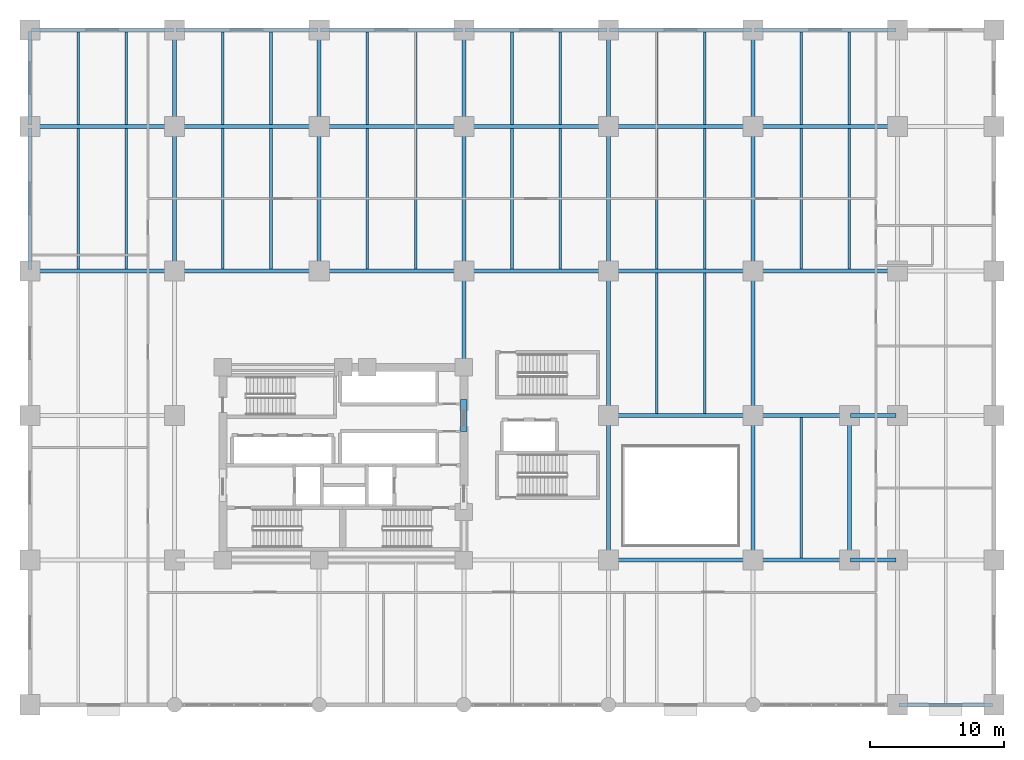
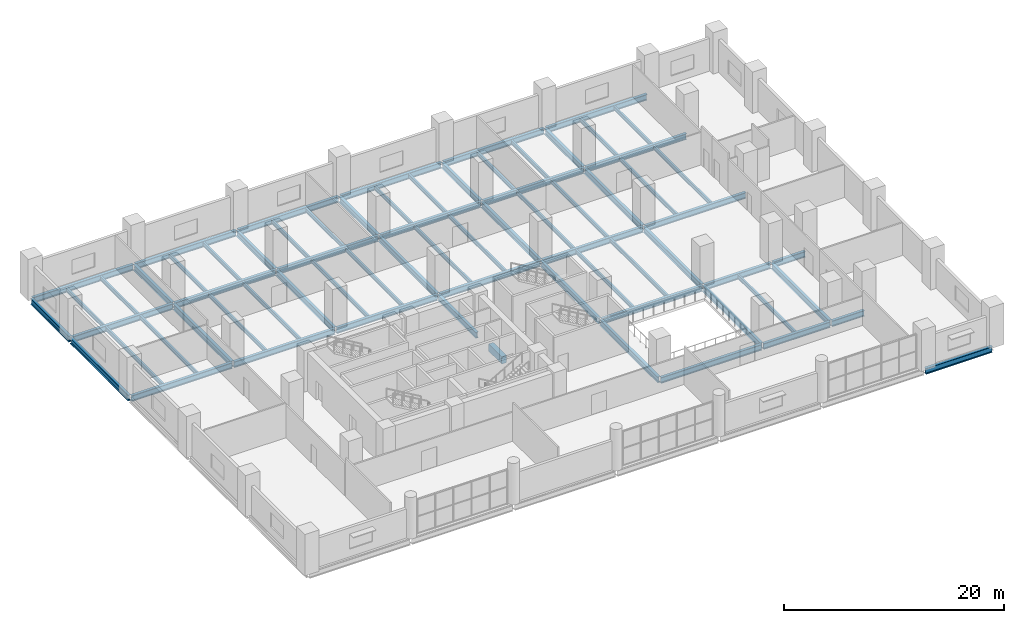
# One storey, part 8 of 16: 71 beams.
"""IFC4 building model written with IfcOpenShell, lengths in metres."""

from ifc_helpers import new_model, si_unit, direction, frame, origin, origin_2d, place, context, subcontext, project, spatial, rectangle, i_section, extrude, material, material_profile, profile_set, type_object, element, save


model = new_model("IFC4")

# Units and contexts
model_context = context("Model", 3, precision=1e-05, world=origin(), true_north=direction((0.0, 1.0)))
body_context = subcontext(model_context, "Body", "Model", "MODEL_VIEW")
ifc_project = project(units=[si_unit("LENGTHUNIT", "METRE"), si_unit("AREAUNIT", "SQUARE_METRE"), si_unit("VOLUMEUNIT", "CUBIC_METRE"), si_unit("PLANEANGLEUNIT", "RADIAN"), si_unit("MASSUNIT", "GRAM", prefix="KILO")], contexts=[model_context])

# Site, building, storey
site_placement = place(None, origin())
site = spatial("IfcSite", under=ifc_project, at=site_placement, CompositionType="ELEMENT")
building_placement = place(site_placement, origin())
building = spatial("IfcBuilding", under=site, at=building_placement, Name="Solnavia Interchange Tower", CompositionType="ELEMENT")
storey_placement = place(building_placement, frame((0.0, 0.0, 10.199951171875)))
storey = spatial("IfcBuildingStorey", under=building, at=storey_placement, Name="L02", CompositionType="ELEMENT", Elevation=10.199951171875)

# Beams
ifc_material_1 = material(Name="Concrete C50/60", Category="concrete")
ifc_material_profile_1 = material_profile(ifc_material_1, rectangle(XDim=0.5, YDim=0.800048828125, at=origin_2d()), Name="RC 500x800")
ifc_profile_set_1 = profile_set([ifc_material_profile_1], Name="Concrete C50/60")
beam_type_1 = type_object("IfcBeamType", Name="Beam-Coupling-RC500x800", PredefinedType="LINTEL", material=ifc_profile_set_1)
beam_1_placement = place(storey_placement, frame((32.39990234375, 20.39990234375, -0.39990234375), z_axis=(0.0, 1.0, 0.0), x_axis=(-1.0, 0.0, 0.0)))
element("IfcBeam", 1, at=beam_1_placement, inside=storey, type_object=beam_type_1, Name="CPB-L02-E2 Core coupling lintel beam", PredefinedType="LINTEL", context=body_context, shape_type="SweptSolid", body=[
    extrude(rectangle(XDim=0.5, YDim=0.800048828125, at=origin_2d()), origin(), (0.0, 0.0, 1.0), 2.400146484375),
])
ifc_material_2 = material(Name="Steel S460", Category="steel")
ifc_material_profile_2 = material_profile(ifc_material_2, i_section(OverallWidth=0.300048828125, OverallDepth=0.64990234375, WebThickness=0.01611328125, FlangeThickness=0.031005859375, FilletRadius=0.027099609375, at=origin_2d()), Name="HEB 650")
ifc_profile_set_2 = profile_set([ifc_material_profile_2], Name="Steel S460")
beam_type_2 = type_object("IfcBeamType", Name="Beam-Girder-HEB650", PredefinedType="BEAM", material=ifc_profile_set_2)
beam_2_placement = place(storey_placement, frame((64.89990234375, 0.0, -0.625), z_axis=(1.0, 0.0, 0.0), x_axis=(0.0, 1.0, 0.0)))
element("IfcBeam", 2, at=beam_2_placement, inside=storey, type_object=beam_type_2, Name="GRD-L02-07 Podium primary girder", PredefinedType="BEAM", context=body_context, shape_type="SweptSolid", body=[
    extrude(i_section(OverallWidth=0.300048828125, OverallDepth=0.64990234375, WebThickness=0.01611328125, FlangeThickness=0.031005859375, FilletRadius=0.027099609375, at=origin_2d()), origin(), (0.0, 0.0, 1.0), 7.0),
])
beam_3_placement = place(storey_placement, frame((43.300048828125, 10.800048828125, -0.625), z_axis=(1.0, 0.0, 0.0), x_axis=(0.0, 1.0, 0.0)))
element("IfcBeam", 3, at=beam_3_placement, inside=storey, type_object=beam_type_2, Name="GRD-L02-13 Podium primary girder", PredefinedType="BEAM", context=body_context, shape_type="SweptSolid", body=[
    extrude(i_section(OverallWidth=0.300048828125, OverallDepth=0.64990234375, WebThickness=0.01611328125, FlangeThickness=0.031005859375, FilletRadius=0.027099609375, at=origin_2d()), origin(), (0.0, 0.0, 1.0), 10.599853515625),
])
beam_4_placement = place(storey_placement, frame((54.10009765625, 10.800048828125, -0.625), z_axis=(1.0, 0.0, 0.0), x_axis=(0.0, 1.0, 0.0)))
element("IfcBeam", 4, at=beam_4_placement, inside=storey, type_object=beam_type_2, Name="GRD-L02-14 Podium primary girder", PredefinedType="BEAM", context=body_context, shape_type="SweptSolid", body=[
    extrude(i_section(OverallWidth=0.300048828125, OverallDepth=0.64990234375, WebThickness=0.01611328125, FlangeThickness=0.031005859375, FilletRadius=0.027099609375, at=origin_2d()), origin(), (0.0, 0.0, 1.0), 7.0),
])
beam_5_placement = place(storey_placement, frame((61.300048828125, 10.800048828125, -0.625), z_axis=(1.0, 0.0, 0.0), x_axis=(0.0, 1.0, 0.0)))
element("IfcBeam", 5, at=beam_5_placement, inside=storey, type_object=beam_type_2, Name="GRD-L02-15 Podium primary girder", PredefinedType="BEAM", context=body_context, shape_type="SweptSolid", body=[
    extrude(i_section(OverallWidth=0.300048828125, OverallDepth=0.64990234375, WebThickness=0.01611328125, FlangeThickness=0.031005859375, FilletRadius=0.027099609375, at=origin_2d()), origin(), (0.0, 0.0, 1.0), 3.39990234375),
])
beam_6_placement = place(storey_placement, frame((43.300048828125, 21.60009765625, -0.625), z_axis=(1.0, 0.0, 0.0), x_axis=(0.0, 1.0, 0.0)))
element("IfcBeam", 6, at=beam_6_placement, inside=storey, type_object=beam_type_2, Name="GRD-L02-18 Podium primary girder", PredefinedType="BEAM", context=body_context, shape_type="SweptSolid", body=[
    extrude(i_section(OverallWidth=0.300048828125, OverallDepth=0.64990234375, WebThickness=0.01611328125, FlangeThickness=0.031005859375, FilletRadius=0.027099609375, at=origin_2d()), origin(), (0.0, 0.0, 1.0), 10.599853515625),
])
beam_7_placement = place(storey_placement, frame((54.10009765625, 21.60009765625, -0.625), z_axis=(1.0, 0.0, 0.0), x_axis=(0.0, 1.0, 0.0)))
element("IfcBeam", 7, at=beam_7_placement, inside=storey, type_object=beam_type_2, Name="GRD-L02-19 Podium primary girder", PredefinedType="BEAM", context=body_context, shape_type="SweptSolid", body=[
    extrude(i_section(OverallWidth=0.300048828125, OverallDepth=0.64990234375, WebThickness=0.01611328125, FlangeThickness=0.031005859375, FilletRadius=0.027099609375, at=origin_2d()), origin(), (0.0, 0.0, 1.0), 7.0),
])
beam_8_placement = place(storey_placement, frame((61.300048828125, 21.60009765625, -0.625), z_axis=(1.0, 0.0, 0.0), x_axis=(0.0, 1.0, 0.0)))
element("IfcBeam", 8, at=beam_8_placement, inside=storey, type_object=beam_type_2, Name="GRD-L02-20 Podium primary girder", PredefinedType="BEAM", context=body_context, shape_type="SweptSolid", body=[
    extrude(i_section(OverallWidth=0.300048828125, OverallDepth=0.64990234375, WebThickness=0.01611328125, FlangeThickness=0.031005859375, FilletRadius=0.027099609375, at=origin_2d()), origin(), (0.0, 0.0, 1.0), 3.39990234375),
])
beam_9_placement = place(storey_placement, frame((0.10009765625, 32.39990234375, -0.625), z_axis=(1.0, 0.0, 0.0), x_axis=(0.0, 1.0, 0.0)))
element("IfcBeam", 9, at=beam_9_placement, inside=storey, type_object=beam_type_2, Name="GRD-L02-23 Podium primary girder", PredefinedType="BEAM", context=body_context, shape_type="SweptSolid", body=[
    extrude(i_section(OverallWidth=0.300048828125, OverallDepth=0.64990234375, WebThickness=0.01611328125, FlangeThickness=0.031005859375, FilletRadius=0.027099609375, at=origin_2d()), origin(), (0.0, 0.0, 1.0), 10.599853515625),
])
for number, where, z_axis, x_axis, name in (
    (10, (10.89990234375, 32.39990234375, -0.625), (1.0, 0.0, 0.0), (0.0, 1.0, 0.0), "GRD-L02-24 Podium primary girder"),
    (11, (21.699951171875, 32.39990234375, -0.625), (1.0, 0.0, 0.0), (0.0, 1.0, 0.0), "GRD-L02-25 Podium primary girder"),
    (12, (32.5, 32.39990234375, -0.625), (1.0, 0.0, 0.0), (0.0, 1.0, 0.0), "GRD-L02-26 Podium primary girder"),
):
    element("IfcBeam", number, at=place(storey_placement, frame(where, z_axis=z_axis, x_axis=x_axis)), inside=storey, type_object=beam_type_2, Name=name, PredefinedType="BEAM", context=body_context, shape_type="SweptSolid", body=[
        extrude(i_section(OverallWidth=0.300048828125, OverallDepth=0.64990234375, WebThickness=0.01611328125, FlangeThickness=0.031005859375, FilletRadius=0.027099609375, at=origin_2d()), origin(), (0.0, 0.0, 1.0), 10.60009765625),
    ])
for number, where, z_axis, x_axis, name in (
    (13, (43.300048828125, 32.39990234375, -0.625), (1.0, 0.0, 0.0), (0.0, 1.0, 0.0), "GRD-L02-27 Podium primary girder"),
    (14, (54.10009765625, 32.39990234375, -0.625), (1.0, 0.0, 0.0), (0.0, 1.0, 0.0), "GRD-L02-28 Podium primary girder"),
    (15, (0.10009765625, 43.199951171875, -0.625), (1.0, 0.0, 0.0), (0.0, 1.0, 0.0), "GRD-L02-30 Podium primary girder"),
):
    element("IfcBeam", number, at=place(storey_placement, frame(where, z_axis=z_axis, x_axis=x_axis)), inside=storey, type_object=beam_type_2, Name=name, PredefinedType="BEAM", context=body_context, shape_type="SweptSolid", body=[
        extrude(i_section(OverallWidth=0.300048828125, OverallDepth=0.64990234375, WebThickness=0.01611328125, FlangeThickness=0.031005859375, FilletRadius=0.027099609375, at=origin_2d()), origin(), (0.0, 0.0, 1.0), 10.599853515625),
    ])
for number, where, z_axis, x_axis, name in (
    (16, (10.89990234375, 43.199951171875, -0.625), (1.0, 0.0, 0.0), (0.0, 1.0, 0.0), "GRD-L02-31 Podium primary girder"),
    (17, (21.699951171875, 43.199951171875, -0.625), (1.0, 0.0, 0.0), (0.0, 1.0, 0.0), "GRD-L02-32 Podium primary girder"),
    (18, (32.5, 43.199951171875, -0.625), (1.0, 0.0, 0.0), (0.0, 1.0, 0.0), "GRD-L02-33 Podium primary girder"),
):
    element("IfcBeam", number, at=place(storey_placement, frame(where, z_axis=z_axis, x_axis=x_axis)), inside=storey, type_object=beam_type_2, Name=name, PredefinedType="BEAM", context=body_context, shape_type="SweptSolid", body=[
        extrude(i_section(OverallWidth=0.300048828125, OverallDepth=0.64990234375, WebThickness=0.01611328125, FlangeThickness=0.031005859375, FilletRadius=0.027099609375, at=origin_2d()), origin(), (0.0, 0.0, 1.0), 10.60009765625),
    ])
for number, where, z_axis, x_axis, name in (
    (19, (43.300048828125, 43.199951171875, -0.625), (1.0, 0.0, 0.0), (0.0, 1.0, 0.0), "GRD-L02-34 Podium primary girder"),
    (20, (54.10009765625, 43.199951171875, -0.625), (1.0, 0.0, 0.0), (0.0, 1.0, 0.0), "GRD-L02-35 Podium primary girder"),
    (21, (0.10009765625, 50.39990234375, -0.625), (1.0, 0.0, 0.0), (0.0, 1.0, 0.0), "GRD-L02-37 Podium primary girder"),
):
    element("IfcBeam", number, at=place(storey_placement, frame(where, z_axis=z_axis, x_axis=x_axis)), inside=storey, type_object=beam_type_2, Name=name, PredefinedType="BEAM", context=body_context, shape_type="SweptSolid", body=[
        extrude(i_section(OverallWidth=0.300048828125, OverallDepth=0.64990234375, WebThickness=0.01611328125, FlangeThickness=0.031005859375, FilletRadius=0.027099609375, at=origin_2d()), origin(), (0.0, 0.0, 1.0), 10.599853515625),
    ])
for number, where, z_axis, x_axis, name in (
    (22, (10.89990234375, 50.39990234375, -0.625), (1.0, 0.0, 0.0), (0.0, 1.0, 0.0), "GRD-L02-38 Podium primary girder"),
    (23, (21.699951171875, 50.39990234375, -0.625), (1.0, 0.0, 0.0), (0.0, 1.0, 0.0), "GRD-L02-39 Podium primary girder"),
    (24, (32.5, 50.39990234375, -0.625), (1.0, 0.0, 0.0), (0.0, 1.0, 0.0), "GRD-L02-40 Podium primary girder"),
):
    element("IfcBeam", number, at=place(storey_placement, frame(where, z_axis=z_axis, x_axis=x_axis)), inside=storey, type_object=beam_type_2, Name=name, PredefinedType="BEAM", context=body_context, shape_type="SweptSolid", body=[
        extrude(i_section(OverallWidth=0.300048828125, OverallDepth=0.64990234375, WebThickness=0.01611328125, FlangeThickness=0.031005859375, FilletRadius=0.027099609375, at=origin_2d()), origin(), (0.0, 0.0, 1.0), 10.60009765625),
    ])
for number, where, z_axis, x_axis, name in (
    (25, (43.300048828125, 50.39990234375, -0.625), (1.0, 0.0, 0.0), (0.0, 1.0, 0.0), "GRD-L02-41 Podium primary girder"),
    (26, (54.10009765625, 50.39990234375, -0.625), (1.0, 0.0, 0.0), (0.0, 1.0, 0.0), "GRD-L02-42 Podium primary girder"),
):
    element("IfcBeam", number, at=place(storey_placement, frame(where, z_axis=z_axis, x_axis=x_axis)), inside=storey, type_object=beam_type_2, Name=name, PredefinedType="BEAM", context=body_context, shape_type="SweptSolid", body=[
        extrude(i_section(OverallWidth=0.300048828125, OverallDepth=0.64990234375, WebThickness=0.01611328125, FlangeThickness=0.031005859375, FilletRadius=0.027099609375, at=origin_2d()), origin(), (0.0, 0.0, 1.0), 10.599853515625),
    ])
beam_10_placement = place(storey_placement, frame((0.0, 32.5, -0.625), z_axis=(0.0, 1.0, 0.0), x_axis=(-1.0, 0.0, 0.0)))
element("IfcBeam", 27, at=beam_10_placement, inside=storey, type_object=beam_type_2, Name="GRD-L02-47 Podium primary girder", PredefinedType="BEAM", context=body_context, shape_type="SweptSolid", body=[
    extrude(i_section(OverallWidth=0.300048828125, OverallDepth=0.64990234375, WebThickness=0.01611328125, FlangeThickness=0.031005859375, FilletRadius=0.027099609375, at=origin_2d()), origin(), (0.0, 0.0, 1.0), 10.60009765625),
])
beam_11_placement = place(storey_placement, frame((0.0, 43.300048828125, -0.625), z_axis=(0.0, 1.0, 0.0), x_axis=(-1.0, 0.0, 0.0)))
element("IfcBeam", 28, at=beam_11_placement, inside=storey, type_object=beam_type_2, Name="GRD-L02-48 Podium primary girder", PredefinedType="BEAM", context=body_context, shape_type="SweptSolid", body=[
    extrude(i_section(OverallWidth=0.300048828125, OverallDepth=0.64990234375, WebThickness=0.01611328125, FlangeThickness=0.031005859375, FilletRadius=0.027099609375, at=origin_2d()), origin(), (0.0, 0.0, 1.0), 7.0),
])
beam_12_placement = place(storey_placement, frame((10.800048828125, 32.5, -0.625), z_axis=(0.0, 1.0, 0.0), x_axis=(-1.0, 0.0, 0.0)))
element("IfcBeam", 29, at=beam_12_placement, inside=storey, type_object=beam_type_2, Name="GRD-L02-52 Podium primary girder", PredefinedType="BEAM", context=body_context, shape_type="SweptSolid", body=[
    extrude(i_section(OverallWidth=0.300048828125, OverallDepth=0.64990234375, WebThickness=0.01611328125, FlangeThickness=0.031005859375, FilletRadius=0.027099609375, at=origin_2d()), origin(), (0.0, 0.0, 1.0), 10.60009765625),
])
beam_13_placement = place(storey_placement, frame((10.800048828125, 43.300048828125, -0.625), z_axis=(0.0, 1.0, 0.0), x_axis=(-1.0, 0.0, 0.0)))
element("IfcBeam", 30, at=beam_13_placement, inside=storey, type_object=beam_type_2, Name="GRD-L02-53 Podium primary girder", PredefinedType="BEAM", context=body_context, shape_type="SweptSolid", body=[
    extrude(i_section(OverallWidth=0.300048828125, OverallDepth=0.64990234375, WebThickness=0.01611328125, FlangeThickness=0.031005859375, FilletRadius=0.027099609375, at=origin_2d()), origin(), (0.0, 0.0, 1.0), 7.0),
])
beam_14_placement = place(storey_placement, frame((21.60009765625, 32.5, -0.625), z_axis=(0.0, 1.0, 0.0), x_axis=(-1.0, 0.0, 0.0)))
element("IfcBeam", 31, at=beam_14_placement, inside=storey, type_object=beam_type_2, Name="GRD-L02-55 Podium primary girder", PredefinedType="BEAM", context=body_context, shape_type="SweptSolid", body=[
    extrude(i_section(OverallWidth=0.300048828125, OverallDepth=0.64990234375, WebThickness=0.01611328125, FlangeThickness=0.031005859375, FilletRadius=0.027099609375, at=origin_2d()), origin(), (0.0, 0.0, 1.0), 10.60009765625),
])
for number, where, z_axis, x_axis, name in (
    (32, (21.60009765625, 43.300048828125, -0.625), (0.0, 1.0, 0.0), (-1.0, 0.0, 0.0), "GRD-L02-56 Podium primary girder"),
    (33, (32.39990234375, 25.300048828125, -0.625), (0.0, 1.0, 0.0), (-1.0, 0.0, 0.0), "GRD-L02-59 Podium primary girder"),
):
    element("IfcBeam", number, at=place(storey_placement, frame(where, z_axis=z_axis, x_axis=x_axis)), inside=storey, type_object=beam_type_2, Name=name, PredefinedType="BEAM", context=body_context, shape_type="SweptSolid", body=[
        extrude(i_section(OverallWidth=0.300048828125, OverallDepth=0.64990234375, WebThickness=0.01611328125, FlangeThickness=0.031005859375, FilletRadius=0.027099609375, at=origin_2d()), origin(), (0.0, 0.0, 1.0), 7.0),
    ])
beam_15_placement = place(storey_placement, frame((32.39990234375, 32.5, -0.625), z_axis=(0.0, 1.0, 0.0), x_axis=(-1.0, 0.0, 0.0)))
element("IfcBeam", 34, at=beam_15_placement, inside=storey, type_object=beam_type_2, Name="GRD-L02-60 Podium primary girder", PredefinedType="BEAM", context=body_context, shape_type="SweptSolid", body=[
    extrude(i_section(OverallWidth=0.300048828125, OverallDepth=0.64990234375, WebThickness=0.01611328125, FlangeThickness=0.031005859375, FilletRadius=0.027099609375, at=origin_2d()), origin(), (0.0, 0.0, 1.0), 10.60009765625),
])
beam_16_placement = place(storey_placement, frame((32.39990234375, 43.300048828125, -0.625), z_axis=(0.0, 1.0, 0.0), x_axis=(-1.0, 0.0, 0.0)))
element("IfcBeam", 35, at=beam_16_placement, inside=storey, type_object=beam_type_2, Name="GRD-L02-61 Podium primary girder", PredefinedType="BEAM", context=body_context, shape_type="SweptSolid", body=[
    extrude(i_section(OverallWidth=0.300048828125, OverallDepth=0.64990234375, WebThickness=0.01611328125, FlangeThickness=0.031005859375, FilletRadius=0.027099609375, at=origin_2d()), origin(), (0.0, 0.0, 1.0), 7.0),
])
for number, where, z_axis, x_axis, name in (
    (36, (43.199951171875, 10.89990234375, -0.625), (0.0, 1.0, 0.0), (-1.0, 0.0, 0.0), "GRD-L02-63 Podium primary girder"),
    (37, (43.199951171875, 21.699951171875, -0.625), (0.0, 1.0, 0.0), (-1.0, 0.0, 0.0), "GRD-L02-64 Podium primary girder"),
    (38, (43.199951171875, 32.5, -0.625), (0.0, 1.0, 0.0), (-1.0, 0.0, 0.0), "GRD-L02-65 Podium primary girder"),
):
    element("IfcBeam", number, at=place(storey_placement, frame(where, z_axis=z_axis, x_axis=x_axis)), inside=storey, type_object=beam_type_2, Name=name, PredefinedType="BEAM", context=body_context, shape_type="SweptSolid", body=[
        extrude(i_section(OverallWidth=0.300048828125, OverallDepth=0.64990234375, WebThickness=0.01611328125, FlangeThickness=0.031005859375, FilletRadius=0.027099609375, at=origin_2d()), origin(), (0.0, 0.0, 1.0), 10.60009765625),
    ])
beam_17_placement = place(storey_placement, frame((43.199951171875, 43.300048828125, -0.625), z_axis=(0.0, 1.0, 0.0), x_axis=(-1.0, 0.0, 0.0)))
element("IfcBeam", 39, at=beam_17_placement, inside=storey, type_object=beam_type_2, Name="GRD-L02-66 Podium primary girder", PredefinedType="BEAM", context=body_context, shape_type="SweptSolid", body=[
    extrude(i_section(OverallWidth=0.300048828125, OverallDepth=0.64990234375, WebThickness=0.01611328125, FlangeThickness=0.031005859375, FilletRadius=0.027099609375, at=origin_2d()), origin(), (0.0, 0.0, 1.0), 7.0),
])
for number, where, z_axis, x_axis, name in (
    (40, (54.0, 10.89990234375, -0.625), (0.0, 1.0, 0.0), (-1.0, 0.0, 0.0), "GRD-L02-68 Podium primary girder"),
    (41, (54.0, 21.699951171875, -0.625), (0.0, 1.0, 0.0), (-1.0, 0.0, 0.0), "GRD-L02-69 Podium primary girder"),
    (42, (54.0, 32.5, -0.625), (0.0, 1.0, 0.0), (-1.0, 0.0, 0.0), "GRD-L02-70 Podium primary girder"),
):
    element("IfcBeam", number, at=place(storey_placement, frame(where, z_axis=z_axis, x_axis=x_axis)), inside=storey, type_object=beam_type_2, Name=name, PredefinedType="BEAM", context=body_context, shape_type="SweptSolid", body=[
        extrude(i_section(OverallWidth=0.300048828125, OverallDepth=0.64990234375, WebThickness=0.01611328125, FlangeThickness=0.031005859375, FilletRadius=0.027099609375, at=origin_2d()), origin(), (0.0, 0.0, 1.0), 10.60009765625),
    ])
beam_18_placement = place(storey_placement, frame((54.0, 43.300048828125, -0.625), z_axis=(0.0, 1.0, 0.0), x_axis=(-1.0, 0.0, 0.0)))
element("IfcBeam", 43, at=beam_18_placement, inside=storey, type_object=beam_type_2, Name="GRD-L02-71 Podium primary girder", PredefinedType="BEAM", context=body_context, shape_type="SweptSolid", body=[
    extrude(i_section(OverallWidth=0.300048828125, OverallDepth=0.64990234375, WebThickness=0.01611328125, FlangeThickness=0.031005859375, FilletRadius=0.027099609375, at=origin_2d()), origin(), (0.0, 0.0, 1.0), 7.0),
])
beam_19_placement = place(storey_placement, frame((61.199951171875, 10.89990234375, -0.625), z_axis=(0.0, 1.0, 0.0), x_axis=(-1.0, 0.0, 0.0)))
element("IfcBeam", 44, at=beam_19_placement, inside=storey, type_object=beam_type_2, Name="GRD-L02-72 Podium primary girder", PredefinedType="BEAM", context=body_context, shape_type="SweptSolid", body=[
    extrude(i_section(OverallWidth=0.300048828125, OverallDepth=0.64990234375, WebThickness=0.01611328125, FlangeThickness=0.031005859375, FilletRadius=0.027099609375, at=origin_2d()), origin(), (0.0, 0.0, 1.0), 10.60009765625),
])
ifc_material_3 = material(Name="Steel S355", Category="steel")
ifc_material_profile_3 = material_profile(ifc_material_3, i_section(OverallWidth=0.18994140625, OverallDepth=0.449951171875, WebThickness=0.009521484375, FlangeThickness=0.0146484375, FilletRadius=0.02099609375, at=origin_2d()), Name="IPE 450")
ifc_profile_set_3 = profile_set([ifc_material_profile_3], Name="Steel S355")
beam_type_3 = type_object("IfcBeamType", Name="Beam-Joist-IPE450", PredefinedType="JOIST", material=ifc_profile_set_3)
beam_20_placement = place(storey_placement, frame((3.60009765625, 32.550048828125, -0.52490234375), z_axis=(0.0, 1.0, 0.0), x_axis=(-1.0, 0.0, 0.0)))
element("IfcBeam", 45, at=beam_20_placement, inside=storey, type_object=beam_type_3, Name="JST-L02-04 Podium composite floor joist", PredefinedType="JOIST", context=body_context, shape_type="SweptSolid", body=[
    extrude(i_section(OverallWidth=0.18994140625, OverallDepth=0.449951171875, WebThickness=0.009521484375, FlangeThickness=0.0146484375, FilletRadius=0.02099609375, at=origin_2d()), origin(), (0.0, 0.0, 1.0), 10.5),
])
beam_21_placement = place(storey_placement, frame((3.60009765625, 43.35009765625, -0.52490234375), z_axis=(0.0, 1.0, 0.0), x_axis=(-1.0, 0.0, 0.0)))
element("IfcBeam", 46, at=beam_21_placement, inside=storey, type_object=beam_type_3, Name="JST-L02-05 Podium composite floor joist", PredefinedType="JOIST", context=body_context, shape_type="SweptSolid", body=[
    extrude(i_section(OverallWidth=0.18994140625, OverallDepth=0.449951171875, WebThickness=0.009521484375, FlangeThickness=0.0146484375, FilletRadius=0.02099609375, at=origin_2d()), origin(), (0.0, 0.0, 1.0), 6.89990234375),
])
beam_22_placement = place(storey_placement, frame((7.199951171875, 32.550048828125, -0.52490234375), z_axis=(0.0, 1.0, 0.0), x_axis=(-1.0, 0.0, 0.0)))
element("IfcBeam", 47, at=beam_22_placement, inside=storey, type_object=beam_type_3, Name="JST-L02-09 Podium composite floor joist", PredefinedType="JOIST", context=body_context, shape_type="SweptSolid", body=[
    extrude(i_section(OverallWidth=0.18994140625, OverallDepth=0.449951171875, WebThickness=0.009521484375, FlangeThickness=0.0146484375, FilletRadius=0.02099609375, at=origin_2d()), origin(), (0.0, 0.0, 1.0), 10.5),
])
beam_23_placement = place(storey_placement, frame((7.199951171875, 43.35009765625, -0.52490234375), z_axis=(0.0, 1.0, 0.0), x_axis=(-1.0, 0.0, 0.0)))
element("IfcBeam", 48, at=beam_23_placement, inside=storey, type_object=beam_type_3, Name="JST-L02-10 Podium composite floor joist", PredefinedType="JOIST", context=body_context, shape_type="SweptSolid", body=[
    extrude(i_section(OverallWidth=0.18994140625, OverallDepth=0.449951171875, WebThickness=0.009521484375, FlangeThickness=0.0146484375, FilletRadius=0.02099609375, at=origin_2d()), origin(), (0.0, 0.0, 1.0), 6.89990234375),
])
beam_24_placement = place(storey_placement, frame((14.39990234375, 32.550048828125, -0.52490234375), z_axis=(0.0, 1.0, 0.0), x_axis=(-1.0, 0.0, 0.0)))
element("IfcBeam", 49, at=beam_24_placement, inside=storey, type_object=beam_type_3, Name="JST-L02-11 Podium composite floor joist", PredefinedType="JOIST", context=body_context, shape_type="SweptSolid", body=[
    extrude(i_section(OverallWidth=0.18994140625, OverallDepth=0.449951171875, WebThickness=0.009521484375, FlangeThickness=0.0146484375, FilletRadius=0.02099609375, at=origin_2d()), origin(), (0.0, 0.0, 1.0), 10.5),
])
beam_25_placement = place(storey_placement, frame((14.39990234375, 43.35009765625, -0.52490234375), z_axis=(0.0, 1.0, 0.0), x_axis=(-1.0, 0.0, 0.0)))
element("IfcBeam", 50, at=beam_25_placement, inside=storey, type_object=beam_type_3, Name="JST-L02-12 Podium composite floor joist", PredefinedType="JOIST", context=body_context, shape_type="SweptSolid", body=[
    extrude(i_section(OverallWidth=0.18994140625, OverallDepth=0.449951171875, WebThickness=0.009521484375, FlangeThickness=0.0146484375, FilletRadius=0.02099609375, at=origin_2d()), origin(), (0.0, 0.0, 1.0), 6.89990234375),
])
beam_26_placement = place(storey_placement, frame((18.0, 32.550048828125, -0.52490234375), z_axis=(0.0, 1.0, 0.0), x_axis=(-1.0, 0.0, 0.0)))
element("IfcBeam", 51, at=beam_26_placement, inside=storey, type_object=beam_type_3, Name="JST-L02-13 Podium composite floor joist", PredefinedType="JOIST", context=body_context, shape_type="SweptSolid", body=[
    extrude(i_section(OverallWidth=0.18994140625, OverallDepth=0.449951171875, WebThickness=0.009521484375, FlangeThickness=0.0146484375, FilletRadius=0.02099609375, at=origin_2d()), origin(), (0.0, 0.0, 1.0), 10.5),
])
beam_27_placement = place(storey_placement, frame((18.0, 43.35009765625, -0.52490234375), z_axis=(0.0, 1.0, 0.0), x_axis=(-1.0, 0.0, 0.0)))
element("IfcBeam", 52, at=beam_27_placement, inside=storey, type_object=beam_type_3, Name="JST-L02-14 Podium composite floor joist", PredefinedType="JOIST", context=body_context, shape_type="SweptSolid", body=[
    extrude(i_section(OverallWidth=0.18994140625, OverallDepth=0.449951171875, WebThickness=0.009521484375, FlangeThickness=0.0146484375, FilletRadius=0.02099609375, at=origin_2d()), origin(), (0.0, 0.0, 1.0), 6.89990234375),
])
beam_28_placement = place(storey_placement, frame((25.199951171875, 32.550048828125, -0.52490234375), z_axis=(0.0, 1.0, 0.0), x_axis=(-1.0, 0.0, 0.0)))
element("IfcBeam", 53, at=beam_28_placement, inside=storey, type_object=beam_type_3, Name="JST-L02-16 Podium composite floor joist", PredefinedType="JOIST", context=body_context, shape_type="SweptSolid", body=[
    extrude(i_section(OverallWidth=0.18994140625, OverallDepth=0.449951171875, WebThickness=0.009521484375, FlangeThickness=0.0146484375, FilletRadius=0.02099609375, at=origin_2d()), origin(), (0.0, 0.0, 1.0), 10.5),
])
beam_29_placement = place(storey_placement, frame((25.199951171875, 43.35009765625, -0.52490234375), z_axis=(0.0, 1.0, 0.0), x_axis=(-1.0, 0.0, 0.0)))
element("IfcBeam", 54, at=beam_29_placement, inside=storey, type_object=beam_type_3, Name="JST-L02-17 Podium composite floor joist", PredefinedType="JOIST", context=body_context, shape_type="SweptSolid", body=[
    extrude(i_section(OverallWidth=0.18994140625, OverallDepth=0.449951171875, WebThickness=0.009521484375, FlangeThickness=0.0146484375, FilletRadius=0.02099609375, at=origin_2d()), origin(), (0.0, 0.0, 1.0), 6.89990234375),
])
beam_30_placement = place(storey_placement, frame((28.800048828125, 32.550048828125, -0.52490234375), z_axis=(0.0, 1.0, 0.0), x_axis=(-1.0, 0.0, 0.0)))
element("IfcBeam", 55, at=beam_30_placement, inside=storey, type_object=beam_type_3, Name="JST-L02-19 Podium composite floor joist", PredefinedType="JOIST", context=body_context, shape_type="SweptSolid", body=[
    extrude(i_section(OverallWidth=0.18994140625, OverallDepth=0.449951171875, WebThickness=0.009521484375, FlangeThickness=0.0146484375, FilletRadius=0.02099609375, at=origin_2d()), origin(), (0.0, 0.0, 1.0), 10.5),
])
beam_31_placement = place(storey_placement, frame((28.800048828125, 43.35009765625, -0.52490234375), z_axis=(0.0, 1.0, 0.0), x_axis=(-1.0, 0.0, 0.0)))
element("IfcBeam", 56, at=beam_31_placement, inside=storey, type_object=beam_type_3, Name="JST-L02-20 Podium composite floor joist", PredefinedType="JOIST", context=body_context, shape_type="SweptSolid", body=[
    extrude(i_section(OverallWidth=0.18994140625, OverallDepth=0.449951171875, WebThickness=0.009521484375, FlangeThickness=0.0146484375, FilletRadius=0.02099609375, at=origin_2d()), origin(), (0.0, 0.0, 1.0), 6.89990234375),
])
beam_32_placement = place(storey_placement, frame((36.0, 32.550048828125, -0.52490234375), z_axis=(0.0, 1.0, 0.0), x_axis=(-1.0, 0.0, 0.0)))
element("IfcBeam", 57, at=beam_32_placement, inside=storey, type_object=beam_type_3, Name="JST-L02-22 Podium composite floor joist", PredefinedType="JOIST", context=body_context, shape_type="SweptSolid", body=[
    extrude(i_section(OverallWidth=0.18994140625, OverallDepth=0.449951171875, WebThickness=0.009521484375, FlangeThickness=0.0146484375, FilletRadius=0.02099609375, at=origin_2d()), origin(), (0.0, 0.0, 1.0), 10.5),
])
beam_33_placement = place(storey_placement, frame((36.0, 43.35009765625, -0.52490234375), z_axis=(0.0, 1.0, 0.0), x_axis=(-1.0, 0.0, 0.0)))
element("IfcBeam", 58, at=beam_33_placement, inside=storey, type_object=beam_type_3, Name="JST-L02-23 Podium composite floor joist", PredefinedType="JOIST", context=body_context, shape_type="SweptSolid", body=[
    extrude(i_section(OverallWidth=0.18994140625, OverallDepth=0.449951171875, WebThickness=0.009521484375, FlangeThickness=0.0146484375, FilletRadius=0.02099609375, at=origin_2d()), origin(), (0.0, 0.0, 1.0), 6.89990234375),
])
beam_34_placement = place(storey_placement, frame((39.60009765625, 32.550048828125, -0.52490234375), z_axis=(0.0, 1.0, 0.0), x_axis=(-1.0, 0.0, 0.0)))
element("IfcBeam", 59, at=beam_34_placement, inside=storey, type_object=beam_type_3, Name="JST-L02-25 Podium composite floor joist", PredefinedType="JOIST", context=body_context, shape_type="SweptSolid", body=[
    extrude(i_section(OverallWidth=0.18994140625, OverallDepth=0.449951171875, WebThickness=0.009521484375, FlangeThickness=0.0146484375, FilletRadius=0.02099609375, at=origin_2d()), origin(), (0.0, 0.0, 1.0), 10.5),
])
beam_35_placement = place(storey_placement, frame((39.60009765625, 43.35009765625, -0.52490234375), z_axis=(0.0, 1.0, 0.0), x_axis=(-1.0, 0.0, 0.0)))
element("IfcBeam", 60, at=beam_35_placement, inside=storey, type_object=beam_type_3, Name="JST-L02-26 Podium composite floor joist", PredefinedType="JOIST", context=body_context, shape_type="SweptSolid", body=[
    extrude(i_section(OverallWidth=0.18994140625, OverallDepth=0.449951171875, WebThickness=0.009521484375, FlangeThickness=0.0146484375, FilletRadius=0.02099609375, at=origin_2d()), origin(), (0.0, 0.0, 1.0), 6.89990234375),
])
for number, where, z_axis, x_axis, name in (
    (61, (46.800048828125, 21.75, -0.52490234375), (0.0, 1.0, 0.0), (-1.0, 0.0, 0.0), "JST-L02-28 Podium composite floor joist"),
    (62, (46.800048828125, 32.550048828125, -0.52490234375), (0.0, 1.0, 0.0), (-1.0, 0.0, 0.0), "JST-L02-29 Podium composite floor joist"),
):
    element("IfcBeam", number, at=place(storey_placement, frame(where, z_axis=z_axis, x_axis=x_axis)), inside=storey, type_object=beam_type_3, Name=name, PredefinedType="JOIST", context=body_context, shape_type="SweptSolid", body=[
        extrude(i_section(OverallWidth=0.18994140625, OverallDepth=0.449951171875, WebThickness=0.009521484375, FlangeThickness=0.0146484375, FilletRadius=0.02099609375, at=origin_2d()), origin(), (0.0, 0.0, 1.0), 10.5),
    ])
beam_36_placement = place(storey_placement, frame((46.800048828125, 43.35009765625, -0.52490234375), z_axis=(0.0, 1.0, 0.0), x_axis=(-1.0, 0.0, 0.0)))
element("IfcBeam", 63, at=beam_36_placement, inside=storey, type_object=beam_type_3, Name="JST-L02-30 Podium composite floor joist", PredefinedType="JOIST", context=body_context, shape_type="SweptSolid", body=[
    extrude(i_section(OverallWidth=0.18994140625, OverallDepth=0.449951171875, WebThickness=0.009521484375, FlangeThickness=0.0146484375, FilletRadius=0.02099609375, at=origin_2d()), origin(), (0.0, 0.0, 1.0), 6.89990234375),
])
for number, where, z_axis, x_axis, name in (
    (64, (50.39990234375, 21.75, -0.52490234375), (0.0, 1.0, 0.0), (-1.0, 0.0, 0.0), "JST-L02-32 Podium composite floor joist"),
    (65, (50.39990234375, 32.550048828125, -0.52490234375), (0.0, 1.0, 0.0), (-1.0, 0.0, 0.0), "JST-L02-33 Podium composite floor joist"),
):
    element("IfcBeam", number, at=place(storey_placement, frame(where, z_axis=z_axis, x_axis=x_axis)), inside=storey, type_object=beam_type_3, Name=name, PredefinedType="JOIST", context=body_context, shape_type="SweptSolid", body=[
        extrude(i_section(OverallWidth=0.18994140625, OverallDepth=0.449951171875, WebThickness=0.009521484375, FlangeThickness=0.0146484375, FilletRadius=0.02099609375, at=origin_2d()), origin(), (0.0, 0.0, 1.0), 10.5),
    ])
beam_37_placement = place(storey_placement, frame((50.39990234375, 43.35009765625, -0.52490234375), z_axis=(0.0, 1.0, 0.0), x_axis=(-1.0, 0.0, 0.0)))
element("IfcBeam", 66, at=beam_37_placement, inside=storey, type_object=beam_type_3, Name="JST-L02-34 Podium composite floor joist", PredefinedType="JOIST", context=body_context, shape_type="SweptSolid", body=[
    extrude(i_section(OverallWidth=0.18994140625, OverallDepth=0.449951171875, WebThickness=0.009521484375, FlangeThickness=0.0146484375, FilletRadius=0.02099609375, at=origin_2d()), origin(), (0.0, 0.0, 1.0), 6.89990234375),
])
for number, where, z_axis, x_axis, name in (
    (67, (57.60009765625, 10.949951171875, -0.52490234375), (0.0, 1.0, 0.0), (-1.0, 0.0, 0.0), "JST-L02-35 Podium composite floor joist"),
    (68, (57.60009765625, 32.550048828125, -0.52490234375), (0.0, 1.0, 0.0), (-1.0, 0.0, 0.0), "JST-L02-36 Podium composite floor joist"),
):
    element("IfcBeam", number, at=place(storey_placement, frame(where, z_axis=z_axis, x_axis=x_axis)), inside=storey, type_object=beam_type_3, Name=name, PredefinedType="JOIST", context=body_context, shape_type="SweptSolid", body=[
        extrude(i_section(OverallWidth=0.18994140625, OverallDepth=0.449951171875, WebThickness=0.009521484375, FlangeThickness=0.0146484375, FilletRadius=0.02099609375, at=origin_2d()), origin(), (0.0, 0.0, 1.0), 10.5),
    ])
beam_38_placement = place(storey_placement, frame((57.60009765625, 43.35009765625, -0.52490234375), z_axis=(0.0, 1.0, 0.0), x_axis=(-1.0, 0.0, 0.0)))
element("IfcBeam", 69, at=beam_38_placement, inside=storey, type_object=beam_type_3, Name="JST-L02-37 Podium composite floor joist", PredefinedType="JOIST", context=body_context, shape_type="SweptSolid", body=[
    extrude(i_section(OverallWidth=0.18994140625, OverallDepth=0.449951171875, WebThickness=0.009521484375, FlangeThickness=0.0146484375, FilletRadius=0.02099609375, at=origin_2d()), origin(), (0.0, 0.0, 1.0), 6.89990234375),
])
beam_39_placement = place(storey_placement, frame((61.199951171875, 32.550048828125, -0.52490234375), z_axis=(0.0, 1.0, 0.0), x_axis=(-1.0, 0.0, 0.0)))
element("IfcBeam", 70, at=beam_39_placement, inside=storey, type_object=beam_type_3, Name="JST-L02-38 Podium composite floor joist", PredefinedType="JOIST", context=body_context, shape_type="SweptSolid", body=[
    extrude(i_section(OverallWidth=0.18994140625, OverallDepth=0.449951171875, WebThickness=0.009521484375, FlangeThickness=0.0146484375, FilletRadius=0.02099609375, at=origin_2d()), origin(), (0.0, 0.0, 1.0), 10.5),
])
beam_40_placement = place(storey_placement, frame((61.199951171875, 43.35009765625, -0.52490234375), z_axis=(0.0, 1.0, 0.0), x_axis=(-1.0, 0.0, 0.0)))
element("IfcBeam", 71, at=beam_40_placement, inside=storey, type_object=beam_type_3, Name="JST-L02-39 Podium composite floor joist", PredefinedType="JOIST", context=body_context, shape_type="SweptSolid", body=[
    extrude(i_section(OverallWidth=0.18994140625, OverallDepth=0.449951171875, WebThickness=0.009521484375, FlangeThickness=0.0146484375, FilletRadius=0.02099609375, at=origin_2d()), origin(), (0.0, 0.0, 1.0), 6.89990234375),
])

save(model, "model.ifc")
